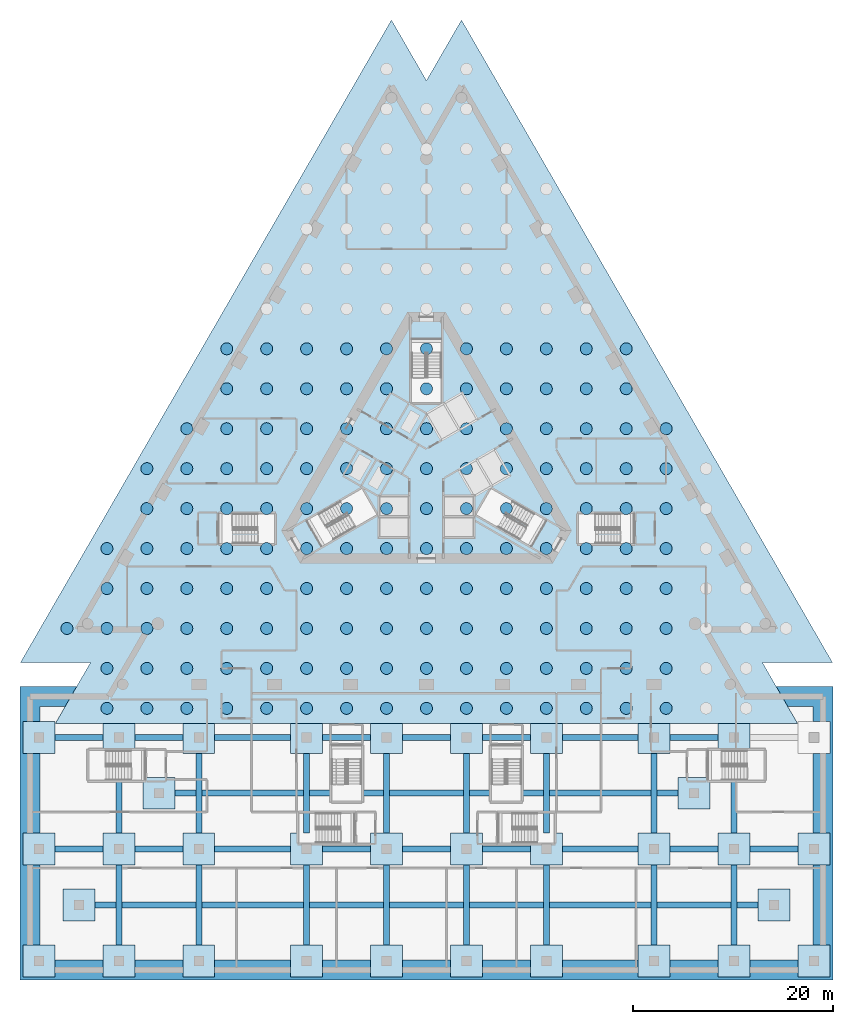
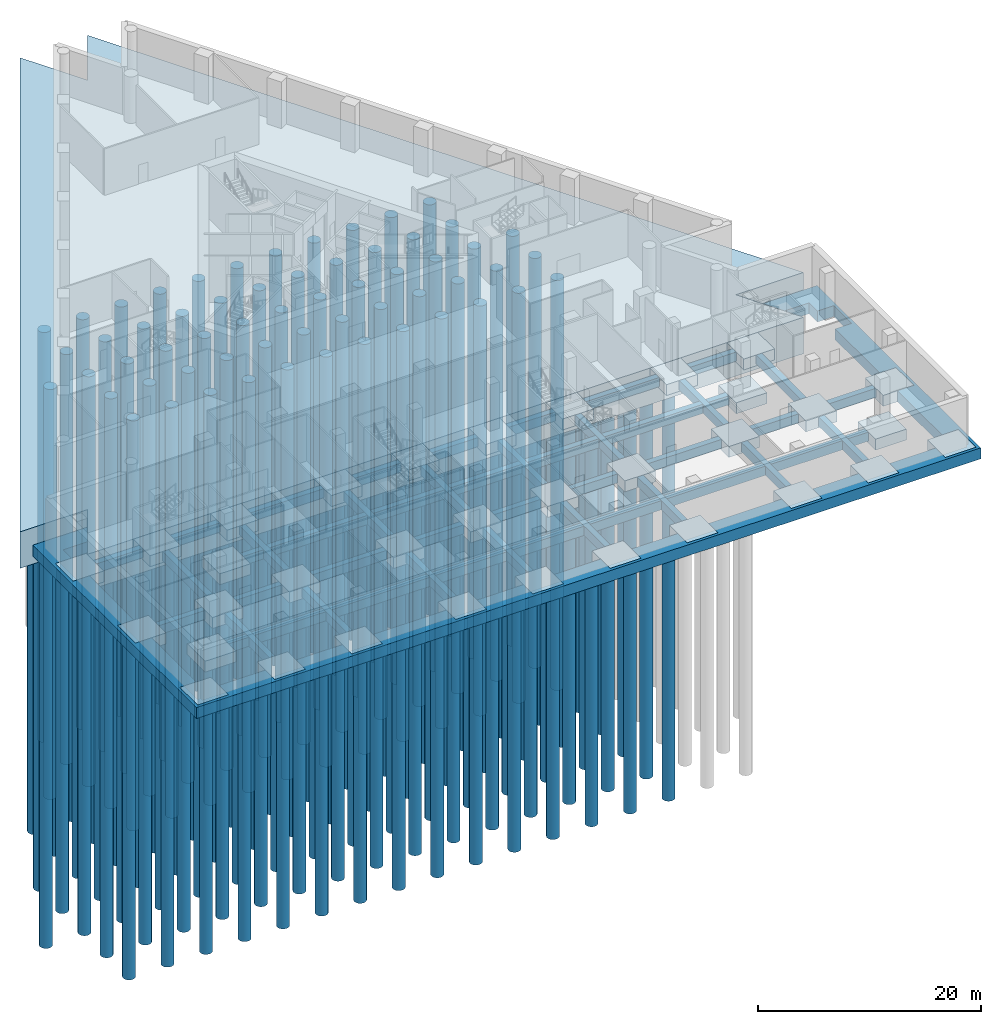
# One storey, part 1 of 20: 139 piles, 70 footings.
"""IFC4 building model written with IfcOpenShell, lengths in metres."""

from ifc_helpers import new_model, si_unit, direction, frame, origin, origin_2d, place, context, subcontext, project, spatial, polyline, rectangle, circle, outline, extrude, material, layer, layer_set, material_profile, profile_set, type_object, element, save


model = new_model("IFC4")

# Units and contexts
model_context = context("Model", 3, precision=1e-05, world=origin(), true_north=direction((0.0, 1.0)))
body_context = subcontext(model_context, "Body", "Model", "MODEL_VIEW")
ifc_project = project(units=[si_unit("LENGTHUNIT", "METRE"), si_unit("AREAUNIT", "SQUARE_METRE"), si_unit("VOLUMEUNIT", "CUBIC_METRE"), si_unit("PLANEANGLEUNIT", "RADIAN"), si_unit("MASSUNIT", "GRAM", prefix="KILO")], contexts=[model_context])

# Site, building, storey
site_placement = place(None, origin())
site = spatial("IfcSite", under=ifc_project, at=site_placement, CompositionType="ELEMENT")
building_placement = place(site_placement, origin())
building = spatial("IfcBuilding", under=site, at=building_placement, Name="Triada Interchange Tower", CompositionType="ELEMENT")
storey_placement = place(building_placement, frame((0.0, 0.0, -5.5)))
storey = spatial("IfcBuildingStorey", under=building, at=storey_placement, Name="B1", CompositionType="ELEMENT", Elevation=-5.5)

# Piles
ifc_material_1 = material(Name="Concrete C30/37", Category="concrete")
ifc_material_profile = material_profile(ifc_material_1, circle(Radius=0.60009765625, at=origin_2d()), Name="RC D1200")
ifc_profile_set = profile_set([ifc_material_profile], Name="Concrete C30/37")
pile_type = type_object("IfcPileType", Name="Bored pile D1200", PredefinedType="BORED", material=ifc_profile_set)
for number, where, z_axis, x_axis, name in (
    (1, (-32.0, -24.0, -4.39990234375), (0.0, 0.0, -1.0), (1.0, 0.0, 0.0), "Bored pile 001"),
    (2, (-28.0, -24.0, -4.39990234375), (0.0, 0.0, -1.0), (1.0, 0.0, 0.0), "Bored pile 002"),
    (3, (-24.0, -24.0, -4.39990234375), (0.0, 0.0, -1.0), (1.0, 0.0, 0.0), "Bored pile 003"),
    (4, (-20.0, -24.0, -4.39990234375), (0.0, 0.0, -1.0), (1.0, 0.0, 0.0), "Bored pile 004"),
    (5, (-16.0, -24.0, -4.39990234375), (0.0, 0.0, -1.0), (1.0, 0.0, 0.0), "Bored pile 005"),
    (6, (-12.0, -24.0, -4.39990234375), (0.0, 0.0, -1.0), (1.0, 0.0, 0.0), "Bored pile 006"),
    (7, (-8.0, -24.0, -4.39990234375), (0.0, 0.0, -1.0), (1.0, 0.0, 0.0), "Bored pile 007"),
    (8, (-4.0, -24.0, -4.39990234375), (0.0, 0.0, -1.0), (1.0, 0.0, 0.0), "Bored pile 008"),
    (9, (0.0, -24.0, -4.39990234375), (0.0, 0.0, -1.0), (1.0, 0.0, 0.0), "Bored pile 009"),
    (10, (4.0, -24.0, -4.39990234375), (0.0, 0.0, -1.0), (1.0, 0.0, 0.0), "Bored pile 010"),
    (11, (8.0, -24.0, -4.39990234375), (0.0, 0.0, -1.0), (1.0, 0.0, 0.0), "Bored pile 011"),
    (12, (12.0, -24.0, -4.39990234375), (0.0, 0.0, -1.0), (1.0, 0.0, 0.0), "Bored pile 012"),
    (13, (16.0, -24.0, -4.39990234375), (0.0, 0.0, -1.0), (1.0, 0.0, 0.0), "Bored pile 013"),
    (14, (20.0, -24.0, -4.39990234375), (0.0, 0.0, -1.0), (1.0, 0.0, 0.0), "Bored pile 014"),
    (15, (24.0, -24.0, -4.39990234375), (0.0, 0.0, -1.0), (1.0, 0.0, 0.0), "Bored pile 015"),
    (16, (-32.0, -20.0, -4.39990234375), (0.0, 0.0, -1.0), (1.0, 0.0, 0.0), "Bored pile 018"),
    (17, (-28.0, -20.0, -4.39990234375), (0.0, 0.0, -1.0), (1.0, 0.0, 0.0), "Bored pile 019"),
    (18, (-24.0, -20.0, -4.39990234375), (0.0, 0.0, -1.0), (1.0, 0.0, 0.0), "Bored pile 020"),
    (19, (-20.0, -20.0, -4.39990234375), (0.0, 0.0, -1.0), (1.0, 0.0, 0.0), "Bored pile 021"),
    (20, (-16.0, -20.0, -4.39990234375), (0.0, 0.0, -1.0), (1.0, 0.0, 0.0), "Bored pile 022"),
    (21, (-12.0, -20.0, -4.39990234375), (0.0, 0.0, -1.0), (1.0, 0.0, 0.0), "Bored pile 023"),
    (22, (-8.0, -20.0, -4.39990234375), (0.0, 0.0, -1.0), (1.0, 0.0, 0.0), "Bored pile 024"),
    (23, (-4.0, -20.0, -4.39990234375), (0.0, 0.0, -1.0), (1.0, 0.0, 0.0), "Bored pile 025"),
    (24, (0.0, -20.0, -4.39990234375), (0.0, 0.0, -1.0), (1.0, 0.0, 0.0), "Bored pile 026"),
    (25, (4.0, -20.0, -4.39990234375), (0.0, 0.0, -1.0), (1.0, 0.0, 0.0), "Bored pile 027"),
    (26, (8.0, -20.0, -4.39990234375), (0.0, 0.0, -1.0), (1.0, 0.0, 0.0), "Bored pile 028"),
    (27, (12.0, -20.0, -4.39990234375), (0.0, 0.0, -1.0), (1.0, 0.0, 0.0), "Bored pile 029"),
    (28, (16.0, -20.0, -4.39990234375), (0.0, 0.0, -1.0), (1.0, 0.0, 0.0), "Bored pile 030"),
    (29, (20.0, -20.0, -4.39990234375), (0.0, 0.0, -1.0), (1.0, 0.0, 0.0), "Bored pile 031"),
    (30, (24.0, -20.0, -4.39990234375), (0.0, 0.0, -1.0), (1.0, 0.0, 0.0), "Bored pile 032"),
    (31, (-36.0, -16.0, -4.39990234375), (0.0, 0.0, -1.0), (1.0, 0.0, 0.0), "Bored pile 035"),
    (32, (-32.0, -16.0, -4.39990234375), (0.0, 0.0, -1.0), (1.0, 0.0, 0.0), "Bored pile 036"),
    (33, (-28.0, -16.0, -4.39990234375), (0.0, 0.0, -1.0), (1.0, 0.0, 0.0), "Bored pile 037"),
    (34, (-24.0, -16.0, -4.39990234375), (0.0, 0.0, -1.0), (1.0, 0.0, 0.0), "Bored pile 038"),
    (35, (-20.0, -16.0, -4.39990234375), (0.0, 0.0, -1.0), (1.0, 0.0, 0.0), "Bored pile 039"),
    (36, (-16.0, -16.0, -4.39990234375), (0.0, 0.0, -1.0), (1.0, 0.0, 0.0), "Bored pile 040"),
    (37, (-12.0, -16.0, -4.39990234375), (0.0, 0.0, -1.0), (1.0, 0.0, 0.0), "Bored pile 041"),
    (38, (-8.0, -16.0, -4.39990234375), (0.0, 0.0, -1.0), (1.0, 0.0, 0.0), "Bored pile 042"),
    (39, (-4.0, -16.0, -4.39990234375), (0.0, 0.0, -1.0), (1.0, 0.0, 0.0), "Bored pile 043"),
    (40, (0.0, -16.0, -4.39990234375), (0.0, 0.0, -1.0), (1.0, 0.0, 0.0), "Bored pile 044"),
    (41, (4.0, -16.0, -4.39990234375), (0.0, 0.0, -1.0), (1.0, 0.0, 0.0), "Bored pile 045"),
    (42, (8.0, -16.0, -4.39990234375), (0.0, 0.0, -1.0), (1.0, 0.0, 0.0), "Bored pile 046"),
    (43, (12.0, -16.0, -4.39990234375), (0.0, 0.0, -1.0), (1.0, 0.0, 0.0), "Bored pile 047"),
    (44, (16.0, -16.0, -4.39990234375), (0.0, 0.0, -1.0), (1.0, 0.0, 0.0), "Bored pile 048"),
    (45, (20.0, -16.0, -4.39990234375), (0.0, 0.0, -1.0), (1.0, 0.0, 0.0), "Bored pile 049"),
    (46, (24.0, -16.0, -4.39990234375), (0.0, 0.0, -1.0), (1.0, 0.0, 0.0), "Bored pile 050"),
    (47, (-32.0, -12.0, -4.39990234375), (0.0, 0.0, -1.0), (1.0, 0.0, 0.0), "Bored pile 054"),
    (48, (-28.0, -12.0, -4.39990234375), (0.0, 0.0, -1.0), (1.0, 0.0, 0.0), "Bored pile 055"),
    (49, (-24.0, -12.0, -4.39990234375), (0.0, 0.0, -1.0), (1.0, 0.0, 0.0), "Bored pile 056"),
    (50, (-20.0, -12.0, -4.39990234375), (0.0, 0.0, -1.0), (1.0, 0.0, 0.0), "Bored pile 057"),
    (51, (-16.0, -12.0, -4.39990234375), (0.0, 0.0, -1.0), (1.0, 0.0, 0.0), "Bored pile 058"),
    (52, (-12.0, -12.0, -4.39990234375), (0.0, 0.0, -1.0), (1.0, 0.0, 0.0), "Bored pile 059"),
    (53, (-8.0, -12.0, -4.39990234375), (0.0, 0.0, -1.0), (1.0, 0.0, 0.0), "Bored pile 060"),
    (54, (-4.0, -12.0, -4.39990234375), (0.0, 0.0, -1.0), (1.0, 0.0, 0.0), "Bored pile 061"),
    (55, (0.0, -12.0, -4.39990234375), (0.0, 0.0, -1.0), (1.0, 0.0, 0.0), "Bored pile 062"),
    (56, (4.0, -12.0, -4.39990234375), (0.0, 0.0, -1.0), (1.0, 0.0, 0.0), "Bored pile 063"),
    (57, (8.0, -12.0, -4.39990234375), (0.0, 0.0, -1.0), (1.0, 0.0, 0.0), "Bored pile 064"),
    (58, (12.0, -12.0, -4.39990234375), (0.0, 0.0, -1.0), (1.0, 0.0, 0.0), "Bored pile 065"),
    (59, (16.0, -12.0, -4.39990234375), (0.0, 0.0, -1.0), (1.0, 0.0, 0.0), "Bored pile 066"),
    (60, (20.0, -12.0, -4.39990234375), (0.0, 0.0, -1.0), (1.0, 0.0, 0.0), "Bored pile 067"),
    (61, (24.0, -12.0, -4.39990234375), (0.0, 0.0, -1.0), (1.0, 0.0, 0.0), "Bored pile 068"),
    (62, (-32.0, -8.0, -4.39990234375), (0.0, 0.0, -1.0), (1.0, 0.0, 0.0), "Bored pile 071"),
    (63, (-28.0, -8.0, -4.39990234375), (0.0, 0.0, -1.0), (1.0, 0.0, 0.0), "Bored pile 072"),
    (64, (-24.0, -8.0, -4.39990234375), (0.0, 0.0, -1.0), (1.0, 0.0, 0.0), "Bored pile 073"),
    (65, (-20.0, -8.0, -4.39990234375), (0.0, 0.0, -1.0), (1.0, 0.0, 0.0), "Bored pile 074"),
    (66, (-16.0, -8.0, -4.39990234375), (0.0, 0.0, -1.0), (1.0, 0.0, 0.0), "Bored pile 075"),
    (67, (-12.0, -8.0, -4.39990234375), (0.0, 0.0, -1.0), (1.0, 0.0, 0.0), "Bored pile 076"),
    (68, (-8.0, -8.0, -4.39990234375), (0.0, 0.0, -1.0), (1.0, 0.0, 0.0), "Bored pile 077"),
    (69, (-4.0, -8.0, -4.39990234375), (0.0, 0.0, -1.0), (1.0, 0.0, 0.0), "Bored pile 078"),
    (70, (0.0, -8.0, -4.39990234375), (0.0, 0.0, -1.0), (1.0, 0.0, 0.0), "Bored pile 079"),
    (71, (4.0, -8.0, -4.39990234375), (0.0, 0.0, -1.0), (1.0, 0.0, 0.0), "Bored pile 080"),
    (72, (8.0, -8.0, -4.39990234375), (0.0, 0.0, -1.0), (1.0, 0.0, 0.0), "Bored pile 081"),
    (73, (12.0, -8.0, -4.39990234375), (0.0, 0.0, -1.0), (1.0, 0.0, 0.0), "Bored pile 082"),
    (74, (16.0, -8.0, -4.39990234375), (0.0, 0.0, -1.0), (1.0, 0.0, 0.0), "Bored pile 083"),
    (75, (20.0, -8.0, -4.39990234375), (0.0, 0.0, -1.0), (1.0, 0.0, 0.0), "Bored pile 084"),
    (76, (24.0, -8.0, -4.39990234375), (0.0, 0.0, -1.0), (1.0, 0.0, 0.0), "Bored pile 085"),
    (77, (-28.0, -4.0, -4.39990234375), (0.0, 0.0, -1.0), (1.0, 0.0, 0.0), "Bored pile 088"),
    (78, (-24.0, -4.0, -4.39990234375), (0.0, 0.0, -1.0), (1.0, 0.0, 0.0), "Bored pile 089"),
    (79, (-20.0, -4.0, -4.39990234375), (0.0, 0.0, -1.0), (1.0, 0.0, 0.0), "Bored pile 090"),
    (80, (-16.0, -4.0, -4.39990234375), (0.0, 0.0, -1.0), (1.0, 0.0, 0.0), "Bored pile 091"),
    (81, (-12.0, -4.0, -4.39990234375), (0.0, 0.0, -1.0), (1.0, 0.0, 0.0), "Bored pile 092"),
    (82, (-8.0, -4.0, -4.39990234375), (0.0, 0.0, -1.0), (1.0, 0.0, 0.0), "Bored pile 093"),
    (83, (-4.0, -4.0, -4.39990234375), (0.0, 0.0, -1.0), (1.0, 0.0, 0.0), "Bored pile 094"),
    (84, (0.0, -4.0, -4.39990234375), (0.0, 0.0, -1.0), (1.0, 0.0, 0.0), "Bored pile 095"),
    (85, (4.0, -4.0, -4.39990234375), (0.0, 0.0, -1.0), (1.0, 0.0, 0.0), "Bored pile 096"),
    (86, (8.0, -4.0, -4.39990234375), (0.0, 0.0, -1.0), (1.0, 0.0, 0.0), "Bored pile 097"),
    (87, (12.0, -4.0, -4.39990234375), (0.0, 0.0, -1.0), (1.0, 0.0, 0.0), "Bored pile 098"),
    (88, (16.0, -4.0, -4.39990234375), (0.0, 0.0, -1.0), (1.0, 0.0, 0.0), "Bored pile 099"),
    (89, (20.0, -4.0, -4.39990234375), (0.0, 0.0, -1.0), (1.0, 0.0, 0.0), "Bored pile 100"),
    (90, (24.0, -4.0, -4.39990234375), (0.0, 0.0, -1.0), (1.0, 0.0, 0.0), "Bored pile 101"),
    (91, (-28.0, 0.0, -4.39990234375), (0.0, 0.0, -1.0), (1.0, 0.0, 0.0), "Bored pile 103"),
    (92, (-24.0, 0.0, -4.39990234375), (0.0, 0.0, -1.0), (1.0, 0.0, 0.0), "Bored pile 104"),
    (93, (-20.0, 0.0, -4.39990234375), (0.0, 0.0, -1.0), (1.0, 0.0, 0.0), "Bored pile 105"),
    (94, (-16.0, 0.0, -4.39990234375), (0.0, 0.0, -1.0), (1.0, 0.0, 0.0), "Bored pile 106"),
    (95, (-12.0, 0.0, -4.39990234375), (0.0, 0.0, -1.0), (1.0, 0.0, 0.0), "Bored pile 107"),
    (96, (-8.0, 0.0, -4.39990234375), (0.0, 0.0, -1.0), (1.0, 0.0, 0.0), "Bored pile 108"),
    (97, (-4.0, 0.0, -4.39990234375), (0.0, 0.0, -1.0), (1.0, 0.0, 0.0), "Bored pile 109"),
    (98, (0.0, 0.0, -4.39990234375), (0.0, 0.0, -1.0), (1.0, 0.0, 0.0), "Bored pile 110"),
    (99, (4.0, 0.0, -4.39990234375), (0.0, 0.0, -1.0), (1.0, 0.0, 0.0), "Bored pile 111"),
    (100, (8.0, 0.0, -4.39990234375), (0.0, 0.0, -1.0), (1.0, 0.0, 0.0), "Bored pile 112"),
    (101, (12.0, 0.0, -4.39990234375), (0.0, 0.0, -1.0), (1.0, 0.0, 0.0), "Bored pile 113"),
    (102, (16.0, 0.0, -4.39990234375), (0.0, 0.0, -1.0), (1.0, 0.0, 0.0), "Bored pile 114"),
    (103, (20.0, 0.0, -4.39990234375), (0.0, 0.0, -1.0), (1.0, 0.0, 0.0), "Bored pile 115"),
    (104, (24.0, 0.0, -4.39990234375), (0.0, 0.0, -1.0), (1.0, 0.0, 0.0), "Bored pile 116"),
    (105, (-24.0, 4.0, -4.39990234375), (0.0, 0.0, -1.0), (1.0, 0.0, 0.0), "Bored pile 118"),
    (106, (-20.0, 4.0, -4.39990234375), (0.0, 0.0, -1.0), (1.0, 0.0, 0.0), "Bored pile 119"),
    (107, (-16.0, 4.0, -4.39990234375), (0.0, 0.0, -1.0), (1.0, 0.0, 0.0), "Bored pile 120"),
    (108, (-12.0, 4.0, -4.39990234375), (0.0, 0.0, -1.0), (1.0, 0.0, 0.0), "Bored pile 121"),
    (109, (-8.0, 4.0, -4.39990234375), (0.0, 0.0, -1.0), (1.0, 0.0, 0.0), "Bored pile 122"),
    (110, (-4.0, 4.0, -4.39990234375), (0.0, 0.0, -1.0), (1.0, 0.0, 0.0), "Bored pile 123"),
    (111, (0.0, 4.0, -4.39990234375), (0.0, 0.0, -1.0), (1.0, 0.0, 0.0), "Bored pile 124"),
    (112, (4.0, 4.0, -4.39990234375), (0.0, 0.0, -1.0), (1.0, 0.0, 0.0), "Bored pile 125"),
    (113, (8.0, 4.0, -4.39990234375), (0.0, 0.0, -1.0), (1.0, 0.0, 0.0), "Bored pile 126"),
    (114, (12.0, 4.0, -4.39990234375), (0.0, 0.0, -1.0), (1.0, 0.0, 0.0), "Bored pile 127"),
    (115, (16.0, 4.0, -4.39990234375), (0.0, 0.0, -1.0), (1.0, 0.0, 0.0), "Bored pile 128"),
    (116, (20.0, 4.0, -4.39990234375), (0.0, 0.0, -1.0), (1.0, 0.0, 0.0), "Bored pile 129"),
    (117, (24.0, 4.0, -4.39990234375), (0.0, 0.0, -1.0), (1.0, 0.0, 0.0), "Bored pile 130"),
    (118, (-20.0, 8.0, -4.39990234375), (0.0, 0.0, -1.0), (1.0, 0.0, 0.0), "Bored pile 131"),
    (119, (-16.0, 8.0, -4.39990234375), (0.0, 0.0, -1.0), (1.0, 0.0, 0.0), "Bored pile 132"),
    (120, (-12.0, 8.0, -4.39990234375), (0.0, 0.0, -1.0), (1.0, 0.0, 0.0), "Bored pile 133"),
    (121, (-8.0, 8.0, -4.39990234375), (0.0, 0.0, -1.0), (1.0, 0.0, 0.0), "Bored pile 134"),
    (122, (-4.0, 8.0, -4.39990234375), (0.0, 0.0, -1.0), (1.0, 0.0, 0.0), "Bored pile 135"),
    (123, (0.0, 8.0, -4.39990234375), (0.0, 0.0, -1.0), (1.0, 0.0, 0.0), "Bored pile 136"),
    (124, (4.0, 8.0, -4.39990234375), (0.0, 0.0, -1.0), (1.0, 0.0, 0.0), "Bored pile 137"),
    (125, (8.0, 8.0, -4.39990234375), (0.0, 0.0, -1.0), (1.0, 0.0, 0.0), "Bored pile 138"),
    (126, (12.0, 8.0, -4.39990234375), (0.0, 0.0, -1.0), (1.0, 0.0, 0.0), "Bored pile 139"),
    (127, (16.0, 8.0, -4.39990234375), (0.0, 0.0, -1.0), (1.0, 0.0, 0.0), "Bored pile 140"),
    (128, (20.0, 8.0, -4.39990234375), (0.0, 0.0, -1.0), (1.0, 0.0, 0.0), "Bored pile 141"),
    (129, (-20.0, 12.0, -4.39990234375), (0.0, 0.0, -1.0), (1.0, 0.0, 0.0), "Bored pile 142"),
    (130, (-16.0, 12.0, -4.39990234375), (0.0, 0.0, -1.0), (1.0, 0.0, 0.0), "Bored pile 143"),
    (131, (-12.0, 12.0, -4.39990234375), (0.0, 0.0, -1.0), (1.0, 0.0, 0.0), "Bored pile 144"),
    (132, (-8.0, 12.0, -4.39990234375), (0.0, 0.0, -1.0), (1.0, 0.0, 0.0), "Bored pile 145"),
    (133, (-4.0, 12.0, -4.39990234375), (0.0, 0.0, -1.0), (1.0, 0.0, 0.0), "Bored pile 146"),
    (134, (0.0, 12.0, -4.39990234375), (0.0, 0.0, -1.0), (1.0, 0.0, 0.0), "Bored pile 147"),
    (135, (4.0, 12.0, -4.39990234375), (0.0, 0.0, -1.0), (1.0, 0.0, 0.0), "Bored pile 148"),
    (136, (8.0, 12.0, -4.39990234375), (0.0, 0.0, -1.0), (1.0, 0.0, 0.0), "Bored pile 149"),
    (137, (12.0, 12.0, -4.39990234375), (0.0, 0.0, -1.0), (1.0, 0.0, 0.0), "Bored pile 150"),
    (138, (16.0, 12.0, -4.39990234375), (0.0, 0.0, -1.0), (1.0, 0.0, 0.0), "Bored pile 151"),
    (139, (20.0, 12.0, -4.39990234375), (0.0, 0.0, -1.0), (1.0, 0.0, 0.0), "Bored pile 152"),
):
    element("IfcPile", number, at=place(storey_placement, frame(where, z_axis=z_axis, x_axis=x_axis)), inside=storey, type_object=pile_type, Name=name, PredefinedType="BORED", context=body_context, shape_type="SweptSolid", body=[
        extrude(circle(Radius=0.60009765625, at=origin_2d()), origin(), (0.0, 0.0, 1.0), 45.0),
    ])

# Footings
ifc_material_2 = material(Name="Concrete C35/45", Category="concrete")
footing_type_1 = type_object("IfcFootingType", Name="Ground beam 600x1000", PredefinedType="FOOTING_BEAM", material=ifc_material_2)
footing_1_placement = place(storey_placement, frame((0.0, -43.699951171875, -1.39990234375), z_axis=(0.0, 0.0, 1.0), x_axis=(1.0, 0.0, 0.0)))
element("IfcFooting", 140, at=footing_1_placement, inside=storey, type_object=footing_type_1, Name="Ground beam FG001", PredefinedType="FOOTING_BEAM", context=body_context, shape_type="SweptSolid", body=[
    extrude(rectangle(XDim=66.39990234375, YDim=0.60009765625, at=origin_2d()), origin(), (0.0, 0.0, 1.0), 1.0),
])
for number, where, z_axis, x_axis, name in (
    (141, (-34.800048828125, -38.10009765625, -1.39990234375), (0.0, 0.0, 1.0), (1.0, 0.0, 0.0), "Ground beam FG002"),
    (142, (-26.800048828125, -38.10009765625, -1.39990234375), (0.0, 0.0, 1.0), (1.0, 0.0, 0.0), "Ground beam FG003"),
):
    element("IfcFooting", number, at=place(storey_placement, frame(where, z_axis=z_axis, x_axis=x_axis)), inside=storey, type_object=footing_type_1, Name=name, PredefinedType="FOOTING_BEAM", context=body_context, shape_type="SweptSolid", body=[
        extrude(rectangle(XDim=4.800048828125, YDim=0.60009765625, at=origin_2d()), origin(), (0.0, 0.0, 1.0), 1.0),
    ])
footing_2_placement = place(storey_placement, frame((-17.39990234375, -38.10009765625, -1.39990234375), z_axis=(0.0, 0.0, 1.0), x_axis=(1.0, 0.0, 0.0)))
element("IfcFooting", 143, at=footing_2_placement, inside=storey, type_object=footing_type_1, Name="Ground beam FG004", PredefinedType="FOOTING_BEAM", context=body_context, shape_type="SweptSolid", body=[
    extrude(rectangle(XDim=7.60009765625, YDim=0.60009765625, at=origin_2d()), origin(), (0.0, 0.0, 1.0), 1.0),
])
for number, where, z_axis, x_axis, name in (
    (144, (-8.0, -38.10009765625, -1.39990234375), (0.0, 0.0, 1.0), (1.0, 0.0, 0.0), "Ground beam FG005"),
    (145, (0.0, -38.10009765625, -1.39990234375), (0.0, 0.0, 1.0), (1.0, 0.0, 0.0), "Ground beam FG006"),
    (146, (8.0, -38.10009765625, -1.39990234375), (0.0, 0.0, 1.0), (1.0, 0.0, 0.0), "Ground beam FG007"),
):
    element("IfcFooting", number, at=place(storey_placement, frame(where, z_axis=z_axis, x_axis=x_axis)), inside=storey, type_object=footing_type_1, Name=name, PredefinedType="FOOTING_BEAM", context=body_context, shape_type="SweptSolid", body=[
        extrude(rectangle(XDim=4.800048828125, YDim=0.60009765625, at=origin_2d()), origin(), (0.0, 0.0, 1.0), 1.0),
    ])
footing_3_placement = place(storey_placement, frame((17.39990234375, -38.10009765625, -1.39990234375), z_axis=(0.0, 0.0, 1.0), x_axis=(1.0, 0.0, 0.0)))
element("IfcFooting", 147, at=footing_3_placement, inside=storey, type_object=footing_type_1, Name="Ground beam FG008", PredefinedType="FOOTING_BEAM", context=body_context, shape_type="SweptSolid", body=[
    extrude(rectangle(XDim=7.60009765625, YDim=0.60009765625, at=origin_2d()), origin(), (0.0, 0.0, 1.0), 1.0),
])
for number, where, z_axis, x_axis, name in (
    (148, (26.800048828125, -38.10009765625, -1.39990234375), (0.0, 0.0, 1.0), (1.0, 0.0, 0.0), "Ground beam FG009"),
    (149, (34.800048828125, -38.10009765625, -1.39990234375), (0.0, 0.0, 1.0), (1.0, 0.0, 0.0), "Ground beam FG010"),
):
    element("IfcFooting", number, at=place(storey_placement, frame(where, z_axis=z_axis, x_axis=x_axis)), inside=storey, type_object=footing_type_1, Name=name, PredefinedType="FOOTING_BEAM", context=body_context, shape_type="SweptSolid", body=[
        extrude(rectangle(XDim=4.800048828125, YDim=0.60009765625, at=origin_2d()), origin(), (0.0, 0.0, 1.0), 1.0),
    ])
footing_4_placement = place(storey_placement, frame((0.0, -32.5, -1.39990234375), z_axis=(0.0, 0.0, 1.0), x_axis=(1.0, 0.0, 0.0)))
element("IfcFooting", 150, at=footing_4_placement, inside=storey, type_object=footing_type_1, Name="Ground beam FG011", PredefinedType="FOOTING_BEAM", context=body_context, shape_type="SweptSolid", body=[
    extrude(rectangle(XDim=50.39990234375, YDim=0.60009765625, at=origin_2d()), origin(), (0.0, 0.0, 1.0), 1.0),
])
for number, where, z_axis, x_axis, name in (
    (151, (-34.800048828125, -26.89990234375, -1.39990234375), (0.0, 0.0, 1.0), (1.0, 0.0, 0.0), "Ground beam FG012"),
    (152, (-26.800048828125, -26.89990234375, -1.39990234375), (0.0, 0.0, 1.0), (1.0, 0.0, 0.0), "Ground beam FG013"),
):
    element("IfcFooting", number, at=place(storey_placement, frame(where, z_axis=z_axis, x_axis=x_axis)), inside=storey, type_object=footing_type_1, Name=name, PredefinedType="FOOTING_BEAM", context=body_context, shape_type="SweptSolid", body=[
        extrude(rectangle(XDim=4.800048828125, YDim=0.60009765625, at=origin_2d()), origin(), (0.0, 0.0, 1.0), 1.0),
    ])
footing_5_placement = place(storey_placement, frame((-17.39990234375, -26.89990234375, -1.39990234375), z_axis=(0.0, 0.0, 1.0), x_axis=(1.0, 0.0, 0.0)))
element("IfcFooting", 153, at=footing_5_placement, inside=storey, type_object=footing_type_1, Name="Ground beam FG014", PredefinedType="FOOTING_BEAM", context=body_context, shape_type="SweptSolid", body=[
    extrude(rectangle(XDim=7.60009765625, YDim=0.60009765625, at=origin_2d()), origin(), (0.0, 0.0, 1.0), 1.0),
])
for number, where, z_axis, x_axis, name in (
    (154, (-8.0, -26.89990234375, -1.39990234375), (0.0, 0.0, 1.0), (1.0, 0.0, 0.0), "Ground beam FG015"),
    (155, (0.0, -26.89990234375, -1.39990234375), (0.0, 0.0, 1.0), (1.0, 0.0, 0.0), "Ground beam FG016"),
    (156, (8.0, -26.89990234375, -1.39990234375), (0.0, 0.0, 1.0), (1.0, 0.0, 0.0), "Ground beam FG017"),
):
    element("IfcFooting", number, at=place(storey_placement, frame(where, z_axis=z_axis, x_axis=x_axis)), inside=storey, type_object=footing_type_1, Name=name, PredefinedType="FOOTING_BEAM", context=body_context, shape_type="SweptSolid", body=[
        extrude(rectangle(XDim=4.800048828125, YDim=0.60009765625, at=origin_2d()), origin(), (0.0, 0.0, 1.0), 1.0),
    ])
footing_6_placement = place(storey_placement, frame((17.39990234375, -26.89990234375, -1.39990234375), z_axis=(0.0, 0.0, 1.0), x_axis=(1.0, 0.0, 0.0)))
element("IfcFooting", 157, at=footing_6_placement, inside=storey, type_object=footing_type_1, Name="Ground beam FG018", PredefinedType="FOOTING_BEAM", context=body_context, shape_type="SweptSolid", body=[
    extrude(rectangle(XDim=7.60009765625, YDim=0.60009765625, at=origin_2d()), origin(), (0.0, 0.0, 1.0), 1.0),
])
footing_7_placement = place(storey_placement, frame((26.800048828125, -26.89990234375, -1.39990234375), z_axis=(0.0, 0.0, 1.0), x_axis=(1.0, 0.0, 0.0)))
element("IfcFooting", 158, at=footing_7_placement, inside=storey, type_object=footing_type_1, Name="Ground beam FG019", PredefinedType="FOOTING_BEAM", context=body_context, shape_type="SweptSolid", body=[
    extrude(rectangle(XDim=4.800048828125, YDim=0.60009765625, at=origin_2d()), origin(), (0.0, 0.0, 1.0), 1.0),
])
for number, where, z_axis, x_axis, name in (
    (159, (-30.800048828125, -43.699951171875, -1.39990234375), (0.0, 0.0, 1.0), (1.0, 0.0, 0.0), "Ground beam FG021"),
    (160, (-30.800048828125, -32.5, -1.39990234375), (0.0, 0.0, 1.0), (1.0, 0.0, 0.0), "Ground beam FG022"),
    (161, (-22.800048828125, -43.699951171875, -1.39990234375), (0.0, 0.0, 1.0), (1.0, 0.0, 0.0), "Ground beam FG023"),
    (162, (-22.800048828125, -32.5, -1.39990234375), (0.0, 0.0, 1.0), (1.0, 0.0, 0.0), "Ground beam FG024"),
    (163, (-12.0, -43.699951171875, -1.39990234375), (0.0, 0.0, 1.0), (1.0, 0.0, 0.0), "Ground beam FG025"),
    (164, (-12.0, -32.5, -1.39990234375), (0.0, 0.0, 1.0), (1.0, 0.0, 0.0), "Ground beam FG026"),
    (165, (-4.0, -43.699951171875, -1.39990234375), (0.0, 0.0, 1.0), (1.0, 0.0, 0.0), "Ground beam FG027"),
    (166, (-4.0, -32.5, -1.39990234375), (0.0, 0.0, 1.0), (1.0, 0.0, 0.0), "Ground beam FG028"),
    (167, (4.0, -43.699951171875, -1.39990234375), (0.0, 0.0, 1.0), (1.0, 0.0, 0.0), "Ground beam FG029"),
    (168, (4.0, -32.5, -1.39990234375), (0.0, 0.0, 1.0), (1.0, 0.0, 0.0), "Ground beam FG030"),
    (169, (12.0, -43.699951171875, -1.39990234375), (0.0, 0.0, 1.0), (1.0, 0.0, 0.0), "Ground beam FG031"),
    (170, (12.0, -32.5, -1.39990234375), (0.0, 0.0, 1.0), (1.0, 0.0, 0.0), "Ground beam FG032"),
    (171, (22.800048828125, -43.699951171875, -1.39990234375), (0.0, 0.0, 1.0), (1.0, 0.0, 0.0), "Ground beam FG033"),
    (172, (22.800048828125, -32.5, -1.39990234375), (0.0, 0.0, 1.0), (1.0, 0.0, 0.0), "Ground beam FG034"),
    (173, (30.800048828125, -43.699951171875, -1.39990234375), (0.0, 0.0, 1.0), (1.0, 0.0, 0.0), "Ground beam FG035"),
    (174, (30.800048828125, -32.5, -1.39990234375), (0.0, 0.0, 1.0), (1.0, 0.0, 0.0), "Ground beam FG036"),
):
    element("IfcFooting", number, at=place(storey_placement, frame(where, z_axis=z_axis, x_axis=x_axis)), inside=storey, type_object=footing_type_1, Name=name, PredefinedType="FOOTING_BEAM", context=body_context, shape_type="SweptSolid", body=[
        extrude(rectangle(XDim=0.60009765625, YDim=8.0, at=origin_2d()), origin(), (0.0, 0.0, 1.0), 1.0),
    ])
ifc_layer_1 = layer(ifc_material_2, 1.199951171875)
ifc_layer_set_1 = layer_set([ifc_layer_1], Name="Concrete C35/45")
footing_type_2 = type_object("IfcFootingType", Name="Pad footing 3200x3000", PredefinedType="PAD_FOOTING", material=ifc_layer_set_1)
for number, where, z_axis, x_axis, name in (
    (175, (-30.800048828125, -27.0, -1.60009765625), (0.0, 0.0, 1.0), (1.0, 0.0, 0.0), "Pad footing CX043"),
    (176, (-22.800048828125, -27.0, -1.60009765625), (0.0, 0.0, 1.0), (1.0, 0.0, 0.0), "Pad footing CX045"),
    (177, (-12.0, -27.0, -1.60009765625), (0.0, 0.0, 1.0), (1.0, 0.0, 0.0), "Pad footing CX046"),
    (178, (-4.0, -27.0, -1.60009765625), (0.0, 0.0, 1.0), (1.0, 0.0, 0.0), "Pad footing CX047"),
    (179, (4.0, -27.0, -1.60009765625), (0.0, 0.0, 1.0), (1.0, 0.0, 0.0), "Pad footing CX048"),
    (180, (12.0, -27.0, -1.60009765625), (0.0, 0.0, 1.0), (1.0, 0.0, 0.0), "Pad footing CX049"),
    (181, (22.800048828125, -27.0, -1.60009765625), (0.0, 0.0, 1.0), (1.0, 0.0, 0.0), "Pad footing CX050"),
    (182, (30.800048828125, -27.0, -1.60009765625), (0.0, 0.0, 1.0), (1.0, 0.0, 0.0), "Pad footing CX052"),
):
    element("IfcFooting", number, at=place(storey_placement, frame(where, z_axis=z_axis, x_axis=x_axis)), inside=storey, type_object=footing_type_2, Name=name, PredefinedType="PAD_FOOTING", context=body_context, shape_type="SweptSolid", body=[
        extrude(rectangle(XDim=3.199951171875, YDim=3.0, at=origin_2d()), origin(), (0.0, 0.0, 1.0), 1.199951171875),
    ])
ifc_layer_2 = layer(ifc_material_2, 1.199951171875)
ifc_layer_set_2 = layer_set([ifc_layer_2], Name="Concrete C35/45")
footing_type_3 = type_object("IfcFootingType", Name="Pad footing 3200x3200", PredefinedType="PAD_FOOTING", material=ifc_layer_set_2)
for number, where, z_axis, x_axis, name in (
    (183, (-38.800048828125, -49.300048828125, -1.60009765625), (0.0, 0.0, 1.0), (1.0, 0.0, 0.0), "Pad footing CX001"),
    (184, (-30.800048828125, -49.300048828125, -1.60009765625), (0.0, 0.0, 1.0), (1.0, 0.0, 0.0), "Pad footing CX002"),
    (185, (-22.800048828125, -49.300048828125, -1.60009765625), (0.0, 0.0, 1.0), (1.0, 0.0, 0.0), "Pad footing CX003"),
    (186, (-12.0, -49.300048828125, -1.60009765625), (0.0, 0.0, 1.0), (1.0, 0.0, 0.0), "Pad footing CX004"),
    (187, (-4.0, -49.300048828125, -1.60009765625), (0.0, 0.0, 1.0), (1.0, 0.0, 0.0), "Pad footing CX005"),
    (188, (4.0, -49.300048828125, -1.60009765625), (0.0, 0.0, 1.0), (1.0, 0.0, 0.0), "Pad footing CX006"),
    (189, (12.0, -49.300048828125, -1.60009765625), (0.0, 0.0, 1.0), (1.0, 0.0, 0.0), "Pad footing CX007"),
    (190, (22.800048828125, -49.300048828125, -1.60009765625), (0.0, 0.0, 1.0), (1.0, 0.0, 0.0), "Pad footing CX008"),
    (191, (30.800048828125, -49.300048828125, -1.60009765625), (0.0, 0.0, 1.0), (1.0, 0.0, 0.0), "Pad footing CX009"),
    (192, (38.800048828125, -49.300048828125, -1.60009765625), (0.0, 0.0, 1.0), (1.0, 0.0, 0.0), "Pad footing CX010"),
    (193, (-34.800048828125, -43.699951171875, -1.60009765625), (0.0, 0.0, 1.0), (1.0, 0.0, 0.0), "Pad footing CX011"),
    (194, (34.800048828125, -43.699951171875, -1.60009765625), (0.0, 0.0, 1.0), (1.0, 0.0, 0.0), "Pad footing CX020"),
    (195, (-38.800048828125, -38.10009765625, -1.60009765625), (0.0, 0.0, 1.0), (1.0, 0.0, 0.0), "Pad footing CX021"),
    (196, (-30.800048828125, -38.10009765625, -1.60009765625), (0.0, 0.0, 1.0), (1.0, 0.0, 0.0), "Pad footing CX023"),
    (197, (-22.800048828125, -38.10009765625, -1.60009765625), (0.0, 0.0, 1.0), (1.0, 0.0, 0.0), "Pad footing CX024"),
    (198, (-12.0, -38.10009765625, -1.60009765625), (0.0, 0.0, 1.0), (1.0, 0.0, 0.0), "Pad footing CX025"),
    (199, (-4.0, -38.10009765625, -1.60009765625), (0.0, 0.0, 1.0), (1.0, 0.0, 0.0), "Pad footing CX026"),
    (200, (4.0, -38.10009765625, -1.60009765625), (0.0, 0.0, 1.0), (1.0, 0.0, 0.0), "Pad footing CX027"),
    (201, (12.0, -38.10009765625, -1.60009765625), (0.0, 0.0, 1.0), (1.0, 0.0, 0.0), "Pad footing CX028"),
    (202, (22.800048828125, -38.10009765625, -1.60009765625), (0.0, 0.0, 1.0), (1.0, 0.0, 0.0), "Pad footing CX029"),
    (203, (30.800048828125, -38.10009765625, -1.60009765625), (0.0, 0.0, 1.0), (1.0, 0.0, 0.0), "Pad footing CX030"),
    (204, (38.800048828125, -38.10009765625, -1.60009765625), (0.0, 0.0, 1.0), (1.0, 0.0, 0.0), "Pad footing CX032"),
    (205, (-26.800048828125, -32.5, -1.60009765625), (0.0, 0.0, 1.0), (1.0, 0.0, 0.0), "Pad footing CX033"),
    (206, (26.800048828125, -32.5, -1.60009765625), (0.0, 0.0, 1.0), (1.0, 0.0, 0.0), "Pad footing CX040"),
    (207, (-38.800048828125, -26.89990234375, -1.60009765625), (0.0, 0.0, 1.0), (1.0, 0.0, 0.0), "Pad footing CX041"),
):
    element("IfcFooting", number, at=place(storey_placement, frame(where, z_axis=z_axis, x_axis=x_axis)), inside=storey, type_object=footing_type_3, Name=name, PredefinedType="PAD_FOOTING", context=body_context, shape_type="SweptSolid", body=[
        extrude(rectangle(XDim=3.199951171875, YDim=3.199951171875, at=origin_2d()), origin(), (0.0, 0.0, 1.0), 1.199951171875),
    ])
ifc_layer_3 = layer(ifc_material_2, 4.0)
ifc_layer_set_3 = layer_set([ifc_layer_3], Name="Concrete C35/45")
footing_type_4 = type_object("IfcFootingType", Name="Piled raft 4000", PredefinedType="PILE_CAP", material=ifc_layer_set_3)
footing_8_placement = place(storey_placement, frame((0.0, 0.0, -4.39990234375)))
element("IfcFooting", 208, at=footing_8_placement, inside=storey, type_object=footing_type_4, Name="Tower piled raft", PredefinedType="PILE_CAP", context=body_context, shape_type="SweptSolid", body=[
    extrude(outline(polyline([(-3.507080078125, 44.925048828125), (-40.659912109375, -19.425048828125), (-33.64501953125, -19.425048828125), (-37.152099609375, -25.5), (37.152099609375, -25.5), (33.64501953125, -19.425048828125), (40.659912109375, -19.425048828125), (3.507080078125, 44.925048828125), (0.0, 38.85107421875), (-3.507080078125, 44.925048828125)])), origin(), (0.0, 0.0, 1.0), 4.0),
])
ifc_layer_4 = layer(ifc_material_2, 1.199951171875)
ifc_layer_set_4 = layer_set([ifc_layer_4], Name="Concrete C35/45")
footing_type_5 = type_object("IfcFootingType", Name="Strip footing 2000", PredefinedType="STRIP_FOOTING", material=ifc_layer_set_4)
footing_9_placement = place(storey_placement, frame((0.0, 0.0, -1.60009765625)))
element("IfcFooting", 209, at=footing_9_placement, inside=storey, type_object=footing_type_5, Name="Strip footing 01", PredefinedType="STRIP_FOOTING", context=body_context, shape_type="SweptSolid", body=[
    extrude(outline(polyline([(-40.699951171875, -51.199951171875), (40.699951171875, -51.199951171875), (40.699951171875, -21.800048828125), (35.01611328125, -21.800048828125), (36.1708984375, -23.800048828125), (38.699951171875, -23.800048828125), (38.699951171875, -25.300048828125), (40.39990234375, -25.300048828125), (40.39990234375, -28.5), (38.699951171875, -28.5), (38.699951171875, -36.5), (40.39990234375, -36.5), (40.39990234375, -39.699951171875), (38.699951171875, -39.699951171875), (38.699951171875, -47.699951171875), (40.39990234375, -47.699951171875), (40.39990234375, -50.89990234375), (37.199951171875, -50.89990234375), (37.199951171875, -49.199951171875), (32.39990234375, -49.199951171875), (32.39990234375, -50.89990234375), (29.199951171875, -50.89990234375), (29.199951171875, -49.199951171875), (24.39990234375, -49.199951171875), (24.39990234375, -50.89990234375), (21.199951171875, -50.89990234375), (21.199951171875, -49.199951171875), (13.60009765625, -49.199951171875), (13.60009765625, -50.89990234375), (10.39990234375, -50.89990234375), (10.39990234375, -49.199951171875), (5.60009765625, -49.199951171875), (5.60009765625, -50.89990234375), (2.39990234375, -50.89990234375), (2.39990234375, -49.199951171875), (-2.39990234375, -49.199951171875), (-2.39990234375, -50.89990234375), (-5.60009765625, -50.89990234375), (-5.60009765625, -49.199951171875), (-10.39990234375, -49.199951171875), (-10.39990234375, -50.89990234375), (-13.60009765625, -50.89990234375), (-13.60009765625, -49.199951171875), (-21.199951171875, -49.199951171875), (-21.199951171875, -50.89990234375), (-24.39990234375, -50.89990234375), (-24.39990234375, -49.199951171875), (-29.199951171875, -49.199951171875), (-29.199951171875, -50.89990234375), (-32.39990234375, -50.89990234375), (-32.39990234375, -49.199951171875), (-37.199951171875, -49.199951171875), (-37.199951171875, -50.89990234375), (-40.39990234375, -50.89990234375), (-40.39990234375, -47.699951171875), (-38.699951171875, -47.699951171875), (-38.699951171875, -39.699951171875), (-40.39990234375, -39.699951171875), (-40.39990234375, -36.5), (-38.699951171875, -36.5), (-38.699951171875, -28.5), (-40.39990234375, -28.5), (-40.39990234375, -25.300048828125), (-38.699951171875, -25.300048828125), (-38.699951171875, -23.800048828125), (-36.1708984375, -23.800048828125), (-35.01611328125, -21.800048828125), (-40.699951171875, -21.800048828125), (-40.699951171875, -51.199951171875)])), origin(), (0.0, 0.0, 1.0), 1.2001953125),
])

save(model, "model.ifc")
